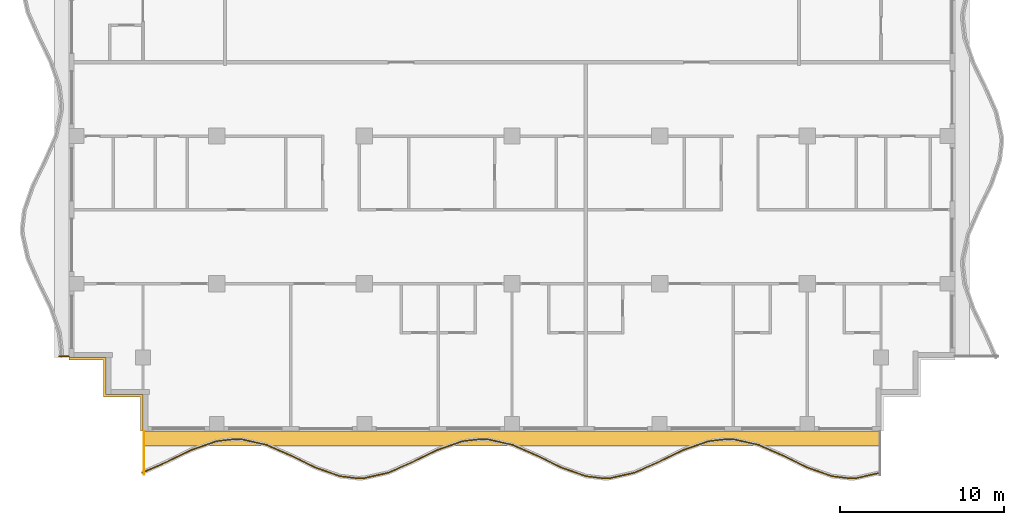
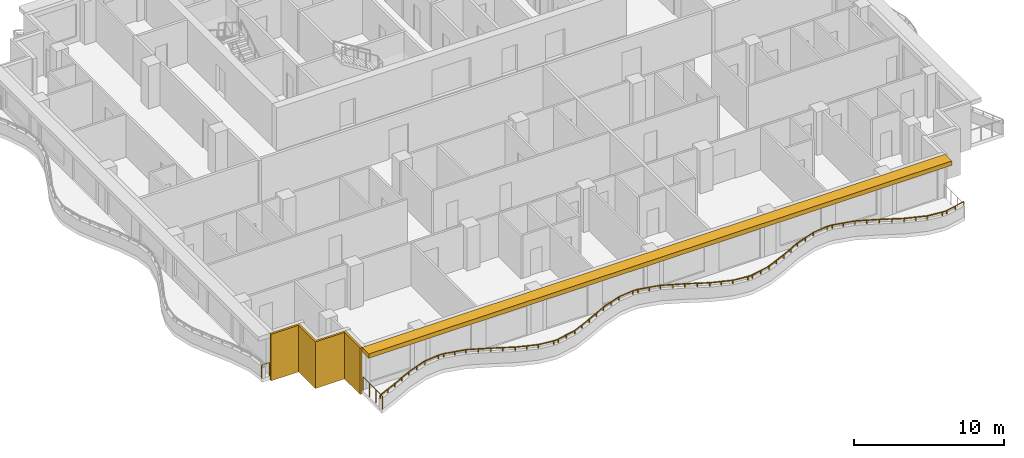
# One storey, part 8 of 11: 3 railings, 2 shading devices.
"""IFC4 building model written with IfcOpenShell, lengths in metres."""

from ifc_helpers import new_model, si_unit, direction, frame, origin, origin_2d, place, context, subcontext, project, spatial, polyline, rectangle, outline, extrude, material, layer, layer_set, type_object, element, save


model = new_model("IFC4")

# Units and contexts
model_context = context("Model", 3, precision=1e-05, world=origin(), true_north=direction((0.0, 1.0)))
body_context = subcontext(model_context, "Body", "Model", "MODEL_VIEW")
ifc_project = project(units=[si_unit("LENGTHUNIT", "METRE"), si_unit("AREAUNIT", "SQUARE_METRE"), si_unit("VOLUMEUNIT", "CUBIC_METRE"), si_unit("PLANEANGLEUNIT", "RADIAN"), si_unit("MASSUNIT", "GRAM", prefix="KILO")], contexts=[model_context])

# Site, building, storey
site_placement = place(None, origin())
site = spatial("IfcSite", under=ifc_project, at=site_placement, CompositionType="ELEMENT")
building_placement = place(site_placement, origin())
building = spatial("IfcBuilding", under=site, at=building_placement, Name="Orbiselva Terraces", CompositionType="ELEMENT")
storey_placement = place(building_placement, frame((0.0, 0.0, 254.0)))
storey = spatial("IfcBuildingStorey", under=building, at=storey_placement, Name="L64", CompositionType="ELEMENT", Elevation=254.0)

# Railings
ifc_material_1 = material(Name="Bonded two-ply safety glass balustrade, stainless steel posts", Category="steel")
railing_type_1 = type_object("IfcRailingType", Name="ENV-BALUSTRADE-1200", PredefinedType="BALUSTRADE", material=ifc_material_1)
railing_1_placement = place(storey_placement, frame((-22.550394, -25.034136, 0.9)))
element("IfcRailing", 1, at=railing_1_placement, inside=storey, type_object=railing_type_1, Name="Balcony balustrade L64 S", PredefinedType="BALUSTRADE", context=body_context, shape_type="SweptSolid", body=[
    extrude(outline(polyline([(0.028868, 0.0), (0.014434, 0.025), (-0.014434, 0.025), (-0.028868, 0.0), (-0.014434, -0.025), (0.014434, -0.025), (0.028868, 0.0)])), frame((0.0, 0.0, 0.275), z_axis=(0.915133498047, 0.403150940408, 0.0), x_axis=(-0.403150940408, 0.915133498047, 0.0)), (0.0, 0.0, 1.0), 1.636648),
    extrude(outline(polyline([(0.028868, 0.0), (0.014434, 0.025), (-0.014434, 0.025), (-0.028868, 0.0), (-0.014434, -0.025), (0.014434, -0.025), (0.028868, 0.0)])), frame((1.497751, 0.659816, 0.275), z_axis=(0.898578870221, 0.438812048596, 0.0), x_axis=(-0.438812048596, 0.898578870221, 0.0)), (0.0, 0.0, 1.0), 1.674225),
    extrude(outline(polyline([(0.028868, 0.0), (0.014434, 0.025), (-0.014434, 0.025), (-0.028868, 0.0), (-0.014434, -0.025), (0.014434, -0.025), (0.028868, 0.0)])), frame((3.002174, 1.394486, 0.275), z_axis=(0.943972332783, 0.330024597479, 0.0), x_axis=(-0.330024597479, 0.943972332783, 0.0)), (0.0, 0.0, 1.0), 1.610253),
    extrude(outline(polyline([(0.028868, 0.0), (0.014434, 0.025), (-0.014434, 0.025), (-0.028868, 0.0), (-0.014434, -0.025), (0.014434, -0.025), (0.028868, 0.0)])), frame((4.522208, 1.925909, 0.275), z_axis=(0.993309551734, 0.115482182324, 0.0), x_axis=(-0.115482182324, 0.993309551734, 0.0)), (0.0, 0.0, 1.0), 1.156135),
    extrude(outline(polyline([(0.028868, 0.0), (0.014434, 0.025), (-0.014434, 0.025), (-0.028868, 0.0), (-0.014434, -0.025), (0.014434, -0.025), (0.028868, 0.0)])), frame((5.670608, 2.059422, 0.275), z_axis=(0.999224734286, -0.03936915532, 0.0), x_axis=(0.03936915532, 0.999224734286, 0.0)), (0.0, 0.0, 1.0), 0.396376),
    extrude(outline(polyline([(0.028868, 0.0), (0.014434, 0.025), (-0.014434, 0.025), (-0.028868, 0.0), (-0.014434, -0.025), (0.014434, -0.025), (0.028868, 0.0)])), frame((6.066677, 2.043817, 0.275), z_axis=(0.97572137947, -0.219015500924, 0.0), x_axis=(0.219015500924, 0.97572137947, 0.0)), (0.0, 0.0, 1.0), 1.560867),
    extrude(outline(polyline([(0.028868, 0.0), (0.014434, 0.025), (-0.014434, 0.025), (-0.028868, 0.0), (-0.014434, -0.025), (0.014434, -0.025), (0.028868, 0.0)])), frame((7.589648, 1.701963, 0.275), z_axis=(0.915133527237, -0.403150874148, 0.0), x_axis=(0.403150874148, 0.915133527237, 0.0)), (0.0, 0.0, 1.0), 1.653736),
    extrude(outline(polyline([(0.028868, 0.0), (0.014434, 0.025), (-0.014434, 0.025), (-0.028868, 0.0), (-0.014434, -0.025), (0.014434, -0.025), (0.028868, 0.0)])), frame((9.103037, 1.035258, 0.275), z_axis=(0.89857890432, -0.438811978768, 0.0), x_axis=(0.438811978768, 0.89857890432, 0.0)), (0.0, 0.0, 1.0), 1.66438),
    extrude(outline(polyline([(0.028868, 0.0), (0.014434, 0.025), (-0.014434, 0.025), (-0.028868, 0.0), (-0.014434, -0.025), (0.014434, -0.025), (0.028868, 0.0)])), frame((10.598614, 0.304908, 0.275), z_axis=(0.943972277814, -0.330024754707, 0.0), x_axis=(0.330024754707, 0.943972277814, 0.0)), (0.0, 0.0, 1.0), 1.567807),
    extrude(outline(polyline([(0.028868, 0.0), (0.014434, 0.025), (-0.014434, 0.025), (-0.028868, 0.0), (-0.014434, -0.025), (0.014434, -0.025), (0.028868, 0.0)])), frame((12.07858, -0.212507, 0.275), z_axis=(0.993309658409, -0.115481264762, 0.0), x_axis=(0.115481264762, 0.993309658409, 0.0)), (0.0, 0.0, 1.0), 1.10902),
    extrude(outline(polyline([(0.028868, 0.0), (0.014434, 0.025), (-0.014434, 0.025), (-0.028868, 0.0), (-0.014434, -0.025), (0.014434, -0.025), (0.028868, 0.0)])), frame((13.18018, -0.340578, 0.275), z_axis=(0.999224931454, 0.039364150694, 0.0), x_axis=(-0.039364150694, 0.999224931454, 0.0)), (0.0, 0.0, 1.0), 0.354206),
    extrude(outline(polyline([(0.028868, 0.0), (0.014434, 0.025), (-0.014434, 0.025), (-0.028868, 0.0), (-0.014434, -0.025), (0.014434, -0.025), (0.028868, 0.0)])), frame((13.534111, -0.326635, 0.275), z_axis=(0.975721325753, 0.219015740235, 0.0), x_axis=(-0.219015740235, 0.975721325753, 0.0)), (0.0, 0.0, 1.0), 1.513782),
    extrude(outline(polyline([(0.028868, 0.0), (0.014434, 0.025), (-0.014434, 0.025), (-0.028868, 0.0), (-0.014434, -0.025), (0.014434, -0.025), (0.028868, 0.0)])), frame((15.01114, 0.004907, 0.275), z_axis=(0.915133363686, 0.403151245402, 0.0), x_axis=(-0.403151245402, 0.915133363686, 0.0)), (0.0, 0.0, 1.0), 1.624475),
    extrude(outline(polyline([(0.028868, 0.0), (0.014434, 0.025), (-0.014434, 0.025), (-0.028868, 0.0), (-0.014434, -0.025), (0.014434, -0.025), (0.028868, 0.0)])), frame((16.497751, 0.659816, 0.275), z_axis=(0.898578870221, 0.438812048596, 0.0), x_axis=(-0.438812048596, 0.898578870221, 0.0)), (0.0, 0.0, 1.0), 1.674225),
    extrude(outline(polyline([(0.028868, 0.0), (0.014434, 0.025), (-0.014434, 0.025), (-0.028868, 0.0), (-0.014434, -0.025), (0.014434, -0.025), (0.028868, 0.0)])), frame((18.002174, 1.394486, 0.275), z_axis=(0.943972332783, 0.330024597479, 0.0), x_axis=(-0.330024597479, 0.943972332783, 0.0)), (0.0, 0.0, 1.0), 1.610253),
    extrude(outline(polyline([(0.028868, 0.0), (0.014434, 0.025), (-0.014434, 0.025), (-0.028868, 0.0), (-0.014434, -0.025), (0.014434, -0.025), (0.028868, 0.0)])), frame((19.522208, 1.925909, 0.275), z_axis=(0.993309551734, 0.115482182324, 0.0), x_axis=(-0.115482182324, 0.993309551734, 0.0)), (0.0, 0.0, 1.0), 1.156135),
    extrude(outline(polyline([(0.028868, 0.0), (0.014434, 0.025), (-0.014434, 0.025), (-0.028868, 0.0), (-0.014434, -0.025), (0.014434, -0.025), (0.028868, 0.0)])), frame((20.670608, 2.059422, 0.275), z_axis=(0.999224734286, -0.03936915532, 0.0), x_axis=(0.03936915532, 0.999224734286, 0.0)), (0.0, 0.0, 1.0), 0.396376),
    extrude(outline(polyline([(0.028868, 0.0), (0.014434, 0.025), (-0.014434, 0.025), (-0.028868, 0.0), (-0.014434, -0.025), (0.014434, -0.025), (0.028868, 0.0)])), frame((21.066677, 2.043817, 0.275), z_axis=(0.97572137947, -0.219015500924, 0.0), x_axis=(0.219015500924, 0.97572137947, 0.0)), (0.0, 0.0, 1.0), 1.560867),
    extrude(outline(polyline([(0.028868, 0.0), (0.014434, 0.025), (-0.014434, 0.025), (-0.028868, 0.0), (-0.014434, -0.025), (0.014434, -0.025), (0.028868, 0.0)])), frame((22.589648, 1.701963, 0.275), z_axis=(0.915133527237, -0.403150874148, 0.0), x_axis=(0.403150874148, 0.915133527237, 0.0)), (0.0, 0.0, 1.0), 1.653736),
    extrude(outline(polyline([(0.028868, 0.0), (0.014434, 0.025), (-0.014434, 0.025), (-0.028868, 0.0), (-0.014434, -0.025), (0.014434, -0.025), (0.028868, 0.0)])), frame((24.103037, 1.035258, 0.275), z_axis=(0.89857890432, -0.438811978768, 0.0), x_axis=(0.438811978768, 0.89857890432, 0.0)), (0.0, 0.0, 1.0), 1.66438),
    extrude(outline(polyline([(0.028868, 0.0), (0.014434, 0.025), (-0.014434, 0.025), (-0.028868, 0.0), (-0.014434, -0.025), (0.014434, -0.025), (0.028868, 0.0)])), frame((25.598614, 0.304908, 0.275), z_axis=(0.943972277814, -0.330024754707, 0.0), x_axis=(0.330024754707, 0.943972277814, 0.0)), (0.0, 0.0, 1.0), 1.567807),
    extrude(outline(polyline([(0.028868, 0.0), (0.014434, 0.025), (-0.014434, 0.025), (-0.028868, 0.0), (-0.014434, -0.025), (0.014434, -0.025), (0.028868, 0.0)])), frame((27.07858, -0.212507, 0.275), z_axis=(0.993309658409, -0.115481264762, 0.0), x_axis=(0.115481264762, 0.993309658409, 0.0)), (0.0, 0.0, 1.0), 1.10902),
    extrude(outline(polyline([(0.028868, 0.0), (0.014434, 0.025), (-0.014434, 0.025), (-0.028868, 0.0), (-0.014434, -0.025), (0.014434, -0.025), (0.028868, 0.0)])), frame((28.18018, -0.340578, 0.275), z_axis=(0.999224931454, 0.039364150694, 0.0), x_axis=(-0.039364150694, 0.999224931454, 0.0)), (0.0, 0.0, 1.0), 0.354206),
    extrude(outline(polyline([(0.028868, 0.0), (0.014434, 0.025), (-0.014434, 0.025), (-0.028868, 0.0), (-0.014434, -0.025), (0.014434, -0.025), (0.028868, 0.0)])), frame((28.534111, -0.326635, 0.275), z_axis=(0.975721325753, 0.219015740235, 0.0), x_axis=(-0.219015740235, 0.975721325753, 0.0)), (0.0, 0.0, 1.0), 1.513782),
    extrude(outline(polyline([(0.028868, 0.0), (0.014434, 0.025), (-0.014434, 0.025), (-0.028868, 0.0), (-0.014434, -0.025), (0.014434, -0.025), (0.028868, 0.0)])), frame((30.01114, 0.004907, 0.275), z_axis=(0.915133363686, 0.403151245402, 0.0), x_axis=(-0.403151245402, 0.915133363686, 0.0)), (0.0, 0.0, 1.0), 1.624475),
    extrude(outline(polyline([(0.028868, 0.0), (0.014434, 0.025), (-0.014434, 0.025), (-0.028868, 0.0), (-0.014434, -0.025), (0.014434, -0.025), (0.028868, 0.0)])), frame((31.497751, 0.659816, 0.275), z_axis=(0.898578870221, 0.438812048596, 0.0), x_axis=(-0.438812048596, 0.898578870221, 0.0)), (0.0, 0.0, 1.0), 1.674225),
    extrude(outline(polyline([(0.028868, 0.0), (0.014434, 0.025), (-0.014434, 0.025), (-0.028868, 0.0), (-0.014434, -0.025), (0.014434, -0.025), (0.028868, 0.0)])), frame((33.002174, 1.394486, 0.275), z_axis=(0.943972332783, 0.330024597479, 0.0), x_axis=(-0.330024597479, 0.943972332783, 0.0)), (0.0, 0.0, 1.0), 1.610253),
    extrude(outline(polyline([(0.028868, 0.0), (0.014434, 0.025), (-0.014434, 0.025), (-0.028868, 0.0), (-0.014434, -0.025), (0.014434, -0.025), (0.028868, 0.0)])), frame((34.522208, 1.925909, 0.275), z_axis=(0.993309551734, 0.115482182324, 0.0), x_axis=(-0.115482182324, 0.993309551734, 0.0)), (0.0, 0.0, 1.0), 1.156135),
    extrude(outline(polyline([(0.028868, 0.0), (0.014434, 0.025), (-0.014434, 0.025), (-0.028868, 0.0), (-0.014434, -0.025), (0.014434, -0.025), (0.028868, 0.0)])), frame((35.670608, 2.059422, 0.275), z_axis=(0.999224734286, -0.03936915532, 0.0), x_axis=(0.03936915532, 0.999224734286, 0.0)), (0.0, 0.0, 1.0), 0.396376),
    extrude(outline(polyline([(0.028868, 0.0), (0.014434, 0.025), (-0.014434, 0.025), (-0.028868, 0.0), (-0.014434, -0.025), (0.014434, -0.025), (0.028868, 0.0)])), frame((36.066677, 2.043817, 0.275), z_axis=(0.97572137947, -0.219015500924, 0.0), x_axis=(0.219015500924, 0.97572137947, 0.0)), (0.0, 0.0, 1.0), 1.560867),
    extrude(outline(polyline([(0.028868, 0.0), (0.014434, 0.025), (-0.014434, 0.025), (-0.028868, 0.0), (-0.014434, -0.025), (0.014434, -0.025), (0.028868, 0.0)])), frame((37.589648, 1.701963, 0.275), z_axis=(0.915133527237, -0.403150874148, 0.0), x_axis=(0.403150874148, 0.915133527237, 0.0)), (0.0, 0.0, 1.0), 1.653736),
    extrude(outline(polyline([(0.028868, 0.0), (0.014434, 0.025), (-0.014434, 0.025), (-0.028868, 0.0), (-0.014434, -0.025), (0.014434, -0.025), (0.028868, 0.0)])), frame((39.103037, 1.035258, 0.275), z_axis=(0.89857890432, -0.438811978768, 0.0), x_axis=(0.438811978768, 0.89857890432, 0.0)), (0.0, 0.0, 1.0), 1.66438),
    extrude(outline(polyline([(0.028868, 0.0), (0.014434, 0.025), (-0.014434, 0.025), (-0.028868, 0.0), (-0.014434, -0.025), (0.014434, -0.025), (0.028868, 0.0)])), frame((40.598614, 0.304908, 0.275), z_axis=(0.943972277814, -0.330024754707, 0.0), x_axis=(0.330024754707, 0.943972277814, 0.0)), (0.0, 0.0, 1.0), 1.567807),
    extrude(outline(polyline([(0.028868, 0.0), (0.014434, 0.025), (-0.014434, 0.025), (-0.028868, 0.0), (-0.014434, -0.025), (0.014434, -0.025), (0.028868, 0.0)])), frame((42.07858, -0.212507, 0.275), z_axis=(0.993309658409, -0.115481264762, 0.0), x_axis=(0.115481264762, 0.993309658409, 0.0)), (0.0, 0.0, 1.0), 1.10902),
    extrude(outline(polyline([(0.028868, 0.0), (0.014434, 0.025), (-0.014434, 0.025), (-0.028868, 0.0), (-0.014434, -0.025), (0.014434, -0.025), (0.028868, 0.0)])), frame((43.18018, -0.340578, 0.275), z_axis=(0.999224931454, 0.039364150694, 0.0), x_axis=(-0.039364150694, 0.999224931454, 0.0)), (0.0, 0.0, 1.0), 0.354206),
    extrude(outline(polyline([(0.028868, 0.0), (0.014434, 0.025), (-0.014434, 0.025), (-0.028868, 0.0), (-0.014434, -0.025), (0.014434, -0.025), (0.028868, 0.0)])), frame((43.534111, -0.326635, 0.275), z_axis=(0.975721322437, 0.21901575501, 0.0), x_axis=(-0.21901575501, 0.975721322437, 0.0)), (0.0, 0.0, 1.0), 1.525954),
    extrude(rectangle(XDim=0.05, YDim=0.05, at=origin_2d()), origin(), (0.0, 0.0, 1.0), 0.25),
    extrude(rectangle(XDim=0.05, YDim=0.05, at=origin_2d()), frame((0.748876, 0.329908, 0.0)), (0.0, 0.0, 1.0), 0.25),
    extrude(rectangle(XDim=0.05, YDim=0.05, at=origin_2d()), frame((1.497751, 0.659816, 0.0)), (0.0, 0.0, 1.0), 0.25),
    extrude(rectangle(XDim=0.05, YDim=0.05, at=origin_2d()), frame((2.249963, 1.027151, 0.0)), (0.0, 0.0, 1.0), 0.25),
    extrude(rectangle(XDim=0.05, YDim=0.05, at=origin_2d()), frame((3.002174, 1.394486, 0.0)), (0.0, 0.0, 1.0), 0.25),
    extrude(rectangle(XDim=0.05, YDim=0.05, at=origin_2d()), frame((3.762191, 1.660198, 0.0)), (0.0, 0.0, 1.0), 0.25),
    extrude(rectangle(XDim=0.05, YDim=0.05, at=origin_2d()), frame((4.522208, 1.925909, 0.0)), (0.0, 0.0, 1.0), 0.25),
    extrude(rectangle(XDim=0.05, YDim=0.05, at=origin_2d()), frame((5.670608, 2.059422, 0.0)), (0.0, 0.0, 1.0), 0.25),
    extrude(rectangle(XDim=0.05, YDim=0.05, at=origin_2d()), frame((6.066677, 2.043817, 0.0)), (0.0, 0.0, 1.0), 0.25),
    extrude(rectangle(XDim=0.05, YDim=0.05, at=origin_2d()), frame((6.828163, 1.87289, 0.0)), (0.0, 0.0, 1.0), 0.25),
    extrude(rectangle(XDim=0.05, YDim=0.05, at=origin_2d()), frame((7.589648, 1.701963, 0.0)), (0.0, 0.0, 1.0), 0.25),
    extrude(rectangle(XDim=0.05, YDim=0.05, at=origin_2d()), frame((8.346342, 1.36861, 0.0)), (0.0, 0.0, 1.0), 0.25),
    extrude(rectangle(XDim=0.05, YDim=0.05, at=origin_2d()), frame((9.103037, 1.035258, 0.0)), (0.0, 0.0, 1.0), 0.25),
    extrude(rectangle(XDim=0.05, YDim=0.05, at=origin_2d()), frame((9.850826, 0.670083, 0.0)), (0.0, 0.0, 1.0), 0.25),
    extrude(rectangle(XDim=0.05, YDim=0.05, at=origin_2d()), frame((10.598614, 0.304908, 0.0)), (0.0, 0.0, 1.0), 0.25),
    extrude(rectangle(XDim=0.05, YDim=0.05, at=origin_2d()), frame((11.338597, 0.046201, 0.0)), (0.0, 0.0, 1.0), 0.25),
    extrude(rectangle(XDim=0.05, YDim=0.05, at=origin_2d()), frame((12.07858, -0.212507, 0.0)), (0.0, 0.0, 1.0), 0.25),
    extrude(rectangle(XDim=0.05, YDim=0.05, at=origin_2d()), frame((13.18018, -0.340578, 0.0)), (0.0, 0.0, 1.0), 0.25),
    extrude(rectangle(XDim=0.05, YDim=0.05, at=origin_2d()), frame((13.534111, -0.326635, 0.0)), (0.0, 0.0, 1.0), 0.25),
    extrude(rectangle(XDim=0.05, YDim=0.05, at=origin_2d()), frame((14.272626, -0.160864, 0.0)), (0.0, 0.0, 1.0), 0.25),
    extrude(rectangle(XDim=0.05, YDim=0.05, at=origin_2d()), frame((15.01114, 0.004907, 0.0)), (0.0, 0.0, 1.0), 0.25),
    extrude(rectangle(XDim=0.05, YDim=0.05, at=origin_2d()), frame((15.754446, 0.332361, 0.0)), (0.0, 0.0, 1.0), 0.25),
    extrude(rectangle(XDim=0.05, YDim=0.05, at=origin_2d()), frame((16.497751, 0.659816, 0.0)), (0.0, 0.0, 1.0), 0.25),
    extrude(rectangle(XDim=0.05, YDim=0.05, at=origin_2d()), frame((17.249963, 1.027151, 0.0)), (0.0, 0.0, 1.0), 0.25),
    extrude(rectangle(XDim=0.05, YDim=0.05, at=origin_2d()), frame((18.002174, 1.394486, 0.0)), (0.0, 0.0, 1.0), 0.25),
    extrude(rectangle(XDim=0.05, YDim=0.05, at=origin_2d()), frame((18.762191, 1.660198, 0.0)), (0.0, 0.0, 1.0), 0.25),
    extrude(rectangle(XDim=0.05, YDim=0.05, at=origin_2d()), frame((19.522208, 1.925909, 0.0)), (0.0, 0.0, 1.0), 0.25),
    extrude(rectangle(XDim=0.05, YDim=0.05, at=origin_2d()), frame((20.670608, 2.059422, 0.0)), (0.0, 0.0, 1.0), 0.25),
    extrude(rectangle(XDim=0.05, YDim=0.05, at=origin_2d()), frame((21.066677, 2.043817, 0.0)), (0.0, 0.0, 1.0), 0.25),
    extrude(rectangle(XDim=0.05, YDim=0.05, at=origin_2d()), frame((21.828162, 1.87289, 0.0)), (0.0, 0.0, 1.0), 0.25),
    extrude(rectangle(XDim=0.05, YDim=0.05, at=origin_2d()), frame((22.589648, 1.701963, 0.0)), (0.0, 0.0, 1.0), 0.25),
    extrude(rectangle(XDim=0.05, YDim=0.05, at=origin_2d()), frame((23.346342, 1.36861, 0.0)), (0.0, 0.0, 1.0), 0.25),
    extrude(rectangle(XDim=0.05, YDim=0.05, at=origin_2d()), frame((24.103037, 1.035258, 0.0)), (0.0, 0.0, 1.0), 0.25),
    extrude(rectangle(XDim=0.05, YDim=0.05, at=origin_2d()), frame((24.850826, 0.670083, 0.0)), (0.0, 0.0, 1.0), 0.25),
    extrude(rectangle(XDim=0.05, YDim=0.05, at=origin_2d()), frame((25.598614, 0.304908, 0.0)), (0.0, 0.0, 1.0), 0.25),
    extrude(rectangle(XDim=0.05, YDim=0.05, at=origin_2d()), frame((26.338597, 0.046201, 0.0)), (0.0, 0.0, 1.0), 0.25),
    extrude(rectangle(XDim=0.05, YDim=0.05, at=origin_2d()), frame((27.07858, -0.212507, 0.0)), (0.0, 0.0, 1.0), 0.25),
    extrude(rectangle(XDim=0.05, YDim=0.05, at=origin_2d()), frame((28.18018, -0.340578, 0.0)), (0.0, 0.0, 1.0), 0.25),
    extrude(rectangle(XDim=0.05, YDim=0.05, at=origin_2d()), frame((28.534111, -0.326635, 0.0)), (0.0, 0.0, 1.0), 0.25),
    extrude(rectangle(XDim=0.05, YDim=0.05, at=origin_2d()), frame((29.272626, -0.160864, 0.0)), (0.0, 0.0, 1.0), 0.25),
    extrude(rectangle(XDim=0.05, YDim=0.05, at=origin_2d()), frame((30.01114, 0.004907, 0.0)), (0.0, 0.0, 1.0), 0.25),
    extrude(rectangle(XDim=0.05, YDim=0.05, at=origin_2d()), frame((30.754446, 0.332361, 0.0)), (0.0, 0.0, 1.0), 0.25),
    extrude(rectangle(XDim=0.05, YDim=0.05, at=origin_2d()), frame((31.497751, 0.659816, 0.0)), (0.0, 0.0, 1.0), 0.25),
    extrude(rectangle(XDim=0.05, YDim=0.05, at=origin_2d()), frame((32.249962, 1.027151, 0.0)), (0.0, 0.0, 1.0), 0.25),
    extrude(rectangle(XDim=0.05, YDim=0.05, at=origin_2d()), frame((33.002174, 1.394486, 0.0)), (0.0, 0.0, 1.0), 0.25),
    extrude(rectangle(XDim=0.05, YDim=0.05, at=origin_2d()), frame((33.762191, 1.660198, 0.0)), (0.0, 0.0, 1.0), 0.25),
    extrude(rectangle(XDim=0.05, YDim=0.05, at=origin_2d()), frame((34.522208, 1.925909, 0.0)), (0.0, 0.0, 1.0), 0.25),
    extrude(rectangle(XDim=0.05, YDim=0.05, at=origin_2d()), frame((35.670608, 2.059422, 0.0)), (0.0, 0.0, 1.0), 0.25),
    extrude(rectangle(XDim=0.05, YDim=0.05, at=origin_2d()), frame((36.066677, 2.043817, 0.0)), (0.0, 0.0, 1.0), 0.25),
    extrude(rectangle(XDim=0.05, YDim=0.05, at=origin_2d()), frame((36.828162, 1.87289, 0.0)), (0.0, 0.0, 1.0), 0.25),
    extrude(rectangle(XDim=0.05, YDim=0.05, at=origin_2d()), frame((37.589648, 1.701963, 0.0)), (0.0, 0.0, 1.0), 0.25),
    extrude(rectangle(XDim=0.05, YDim=0.05, at=origin_2d()), frame((38.346342, 1.36861, 0.0)), (0.0, 0.0, 1.0), 0.25),
    extrude(rectangle(XDim=0.05, YDim=0.05, at=origin_2d()), frame((39.103037, 1.035258, 0.0)), (0.0, 0.0, 1.0), 0.25),
    extrude(rectangle(XDim=0.05, YDim=0.05, at=origin_2d()), frame((39.850826, 0.670083, 0.0)), (0.0, 0.0, 1.0), 0.25),
    extrude(rectangle(XDim=0.05, YDim=0.05, at=origin_2d()), frame((40.598614, 0.304908, 0.0)), (0.0, 0.0, 1.0), 0.25),
    extrude(rectangle(XDim=0.05, YDim=0.05, at=origin_2d()), frame((41.338597, 0.046201, 0.0)), (0.0, 0.0, 1.0), 0.25),
    extrude(rectangle(XDim=0.05, YDim=0.05, at=origin_2d()), frame((42.07858, -0.212507, 0.0)), (0.0, 0.0, 1.0), 0.25),
    extrude(rectangle(XDim=0.05, YDim=0.05, at=origin_2d()), frame((43.18018, -0.340578, 0.0)), (0.0, 0.0, 1.0), 0.25),
    extrude(rectangle(XDim=0.05, YDim=0.05, at=origin_2d()), frame((43.534111, -0.326635, 0.0)), (0.0, 0.0, 1.0), 0.25),
    extrude(rectangle(XDim=0.05, YDim=0.05, at=origin_2d()), frame((44.278564, -0.159531, 0.0)), (0.0, 0.0, 1.0), 0.25),
    extrude(rectangle(XDim=0.05, YDim=0.05, at=origin_2d()), frame((45.023017, 0.007573, 0.0)), (0.0, 0.0, 1.0), 0.25),
])
ifc_material_2 = material(Name="Stainless steel rail and posts", Category="steel")
railing_type_2 = type_object("IfcRailingType", Name="ENV-GUARD-1105", PredefinedType="BALUSTRADE", material=ifc_material_2)
railing_2_placement = place(storey_placement, frame((-22.44, -25.126937, 0.0)))
element("IfcRailing", 2, at=railing_2_placement, inside=storey, type_object=railing_type_2, Name="Balcony end guard L64 S", PredefinedType="BALUSTRADE", context=body_context, shape_type="SweptSolid", body=[
    extrude(outline(polyline([(0.028868, 0.0), (0.014434, 0.025), (-0.014434, 0.025), (-0.028868, 0.0), (-0.014434, -0.025), (0.014434, -0.025), (0.028868, 0.0)])), frame((0.0, 0.0, 1.08), z_axis=(0.0, 1.0, 0.0), x_axis=(-1.0, 0.0, 0.0)), (0.0, 0.0, 1.0), 2.601937),
    extrude(rectangle(XDim=0.05, YDim=0.05, at=origin_2d()), origin(), (0.0, 0.0, 1.0), 1.055),
    extrude(rectangle(XDim=0.05, YDim=0.05, at=origin_2d()), frame((0.0, 0.867312, 0.0)), (0.0, 0.0, 1.0), 1.055),
    extrude(rectangle(XDim=0.05, YDim=0.05, at=origin_2d()), frame((0.0, 1.734625, 0.0)), (0.0, 0.0, 1.0), 1.055),
    extrude(rectangle(XDim=0.05, YDim=0.05, at=origin_2d()), frame((0.0, 2.601937, 0.0)), (0.0, 0.0, 1.0), 1.055),
])
railing_3_placement = place(storey_placement, frame((-27.610431, -17.94, 0.0)))
element("IfcRailing", 3, at=railing_3_placement, inside=storey, type_object=railing_type_2, Name="Balcony end guard L64 W", PredefinedType="BALUSTRADE", context=body_context, shape_type="SweptSolid", body=[
    extrude(outline(polyline([(0.028868, 0.0), (0.014434, 0.025), (-0.014434, 0.025), (-0.028868, 0.0), (-0.014434, -0.025), (0.014434, -0.025), (0.028868, 0.0)])), frame((0.0, 0.0, 1.08), z_axis=(1.0, 0.0, 0.0), x_axis=(0.0, 1.0, 0.0)), (0.0, 0.0, 1.0), 0.585431),
    extrude(rectangle(XDim=0.05, YDim=0.05, at=origin_2d()), origin(), (0.0, 0.0, 1.0), 1.055),
    extrude(rectangle(XDim=0.05, YDim=0.05, at=origin_2d()), frame((0.585431, 0.0, 0.0)), (0.0, 0.0, 1.0), 1.055),
])

# Shading devices
ifc_material_3 = material(Name="Terracotta louvre screen", Category="masonry")
ifc_layer_1 = layer(ifc_material_3, 0.15)
ifc_layer_set_1 = layer_set([ifc_layer_1], Name="Terracotta louvre screen")
shading_device_type_1 = type_object("IfcShadingDeviceType", Name="ENV-SCREEN-150", PredefinedType="USERDEFINED", material=ifc_layer_set_1)
shading_device_1_placement = place(storey_placement, frame((0.0, 0.0, -0.3)))
element("IfcShadingDevice", 4, at=shading_device_1_placement, inside=storey, type_object=shading_device_type_1, Name="Louvre screen L64 SW", ObjectType="SCREEN", PredefinedType="USERDEFINED", context=body_context, shape_type="SweptSolid", body=[
    extrude(outline(polyline([(-27.0, -18.15), (-24.9, -18.15), (-24.9, -20.4), (-22.65, -20.4), (-22.65, -22.5), (-22.5, -22.5), (-22.5, -20.25), (-24.75, -20.25), (-24.75, -18.0), (-27.0, -18.0), (-27.0, -18.15)])), origin(), (0.0, 0.0, 1.0), 3.8),
])
ifc_material_4 = material(Name="Terracotta baguette sunshade", Category="masonry")
ifc_layer_2 = layer(ifc_material_4, 0.35)
ifc_layer_set_2 = layer_set([ifc_layer_2], Name="Terracotta baguette sunshade")
shading_device_type_2 = type_object("IfcShadingDeviceType", Name="ENV-SUNSHADE-900x350", PredefinedType="USERDEFINED", material=ifc_layer_set_2)
shading_device_2_placement = place(storey_placement, frame((0.0, 0.0, 3.15)))
element("IfcShadingDevice", 5, at=shading_device_2_placement, inside=storey, type_object=shading_device_type_2, Name="Sunshade band L64 S", ObjectType="SUNSHADE", PredefinedType="USERDEFINED", context=body_context, shape_type="SweptSolid", body=[
    extrude(outline(polyline([(-22.5, -23.4), (22.5, -23.4), (22.5, -22.5), (-22.5, -22.5), (-22.5, -23.4)])), origin(), (0.0, 0.0, 1.0), 0.35),
])

save(model, "model.ifc")
